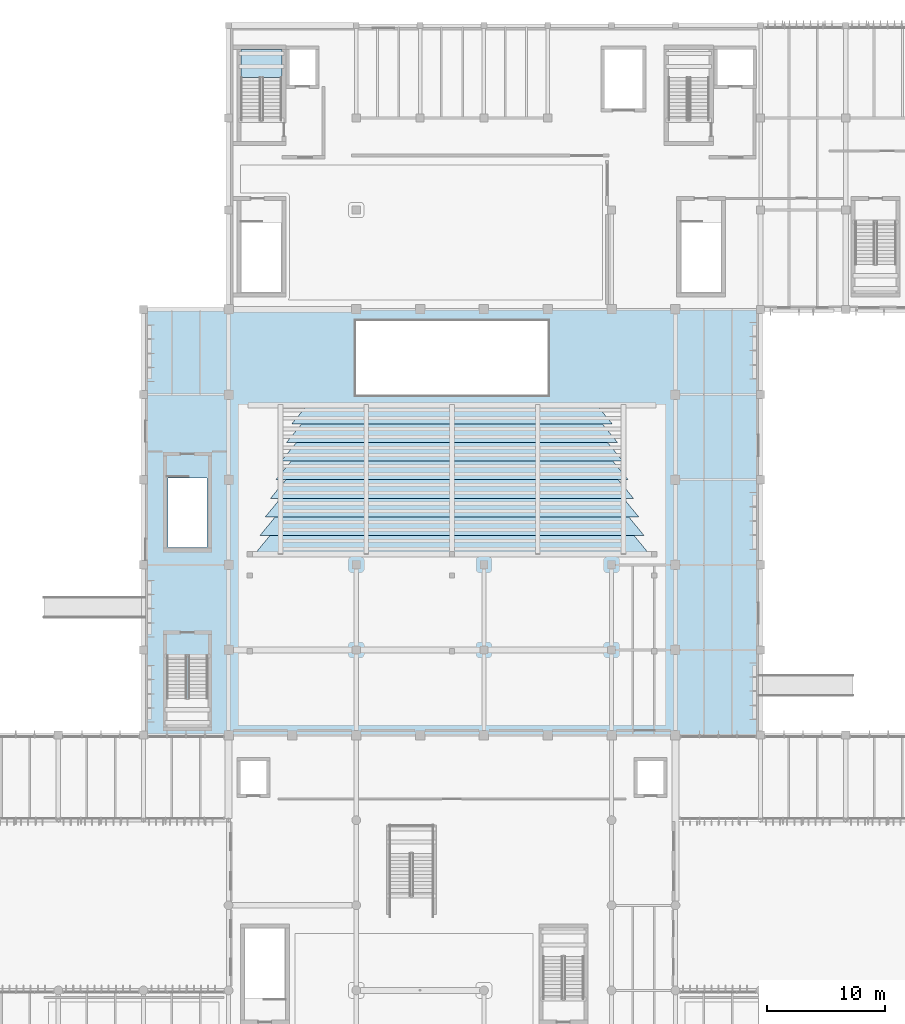
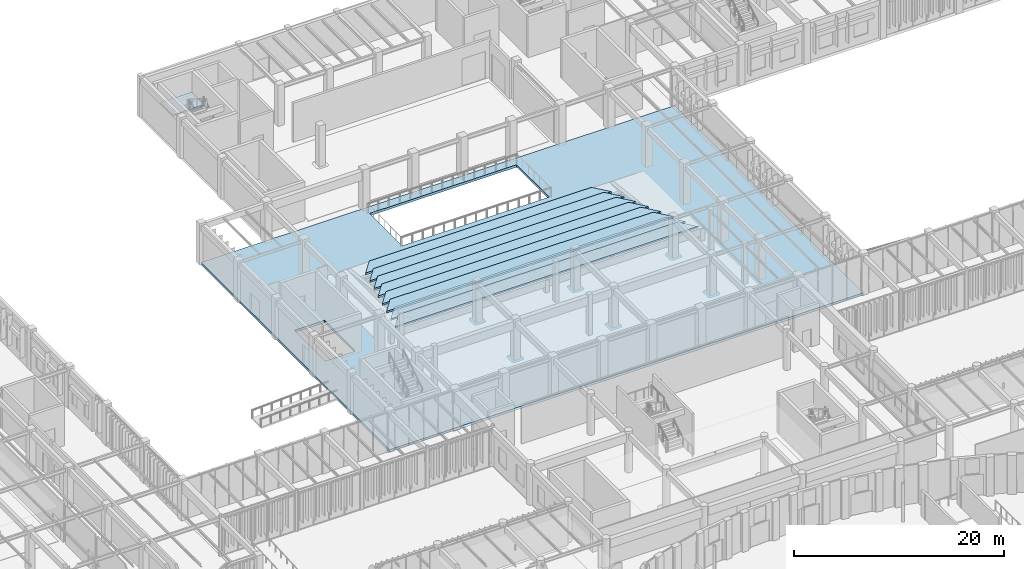
# One storey, part 23 of 122: 10 slabs, 1 element without a shape of its own.
"""IFC4 building model written with IfcOpenShell, lengths in metres."""

from ifc_helpers import new_model, si_unit, direction, frame, origin, place, context, subcontext, project, spatial, polyline, outline, extrude, material, layer, layer_set, type_object, element, aggregate, save


model = new_model("IFC4")

# Units and contexts
model_context = context("Model", 3, precision=1e-05, world=origin(), true_north=direction((0.0, 1.0)))
body_context = subcontext(model_context, "Body", "Model", "MODEL_VIEW")
ifc_project = project(units=[si_unit("LENGTHUNIT", "METRE"), si_unit("AREAUNIT", "SQUARE_METRE"), si_unit("VOLUMEUNIT", "CUBIC_METRE"), si_unit("PLANEANGLEUNIT", "RADIAN"), si_unit("MASSUNIT", "GRAM", prefix="KILO")], contexts=[model_context])

# Site, building, storey
site_placement = place(None, origin())
site = spatial("IfcSite", under=ifc_project, at=site_placement, CompositionType="ELEMENT")
building_placement = place(site_placement, origin())
building = spatial("IfcBuilding", under=site, at=building_placement, Name="Tazoul Stagehouse", CompositionType="ELEMENT")
storey_placement = place(building_placement, origin())
storey = spatial("IfcBuildingStorey", under=building, at=storey_placement, Name="L00", CompositionType="ELEMENT", Elevation=0.0)

# Slab
ifc_material_1 = material(Name="Concrete C35/45", Category="concrete")
ifc_layer_1 = layer(ifc_material_1, 0.280029296875, Name="Concrete C35/45")
ifc_layer_set_1 = layer_set([ifc_layer_1], Name="Concrete C35/45")
slab_type_1 = type_object("IfcSlabType", Name="Acoustic Hall Floor Slab 280", PredefinedType="FLOOR", material=ifc_layer_set_1)
slab_1_placement = place(storey_placement, frame((0.0, 0.0, -0.280029296875)))
element("IfcSlab", 1, at=slab_1_placement, inside=storey, type_object=slab_type_1, Name="L00 Acoustic Hall Floor Slab 280 (V1)", PredefinedType="FLOOR", context=body_context, shape_type="SweptSolid", body=[
    extrude(outline(polyline([(50.39990234375, 51.800048828125), (50.39990234375, 87.800048828125), (102.60009765625, 87.800048828125), (102.60009765625, 51.800048828125), (50.39990234375, 51.800048828125)]), holes=[polyline([(55.7900390625, 73.5400390625), (55.7900390625, 67.659912109375), (52.4599609375, 67.659912109375), (52.4599609375, 73.5400390625), (55.7900390625, 73.5400390625)]), polyline([(68.39990234375, 86.800048828125), (84.60009765625, 86.800048828125), (84.60009765625, 80.60009765625), (68.39990234375, 80.60009765625), (68.39990234375, 86.800048828125)])]), origin(), (0.0, 0.0, 1.0), 0.280029296875),
])

# Stair, slab
ifc_material_2 = material(Name="Concrete C40/50", Category="concrete")
stair_type = type_object("IfcStairType", Name="Protected Core Dogleg Stair 3900", PredefinedType="HALF_TURN_STAIR", material=ifc_material_2)
stair_placement = place(storey_placement, origin())
stair = element("IfcStair", 2, at=stair_placement, inside=storey, type_object=stair_type, Name="L00 Core Escape Stair ST-03", PredefinedType="HALF_TURN_STAIR")
ifc_layer_2 = layer(ifc_material_2, 0.179931640625, Name="Concrete C40/50")
ifc_layer_set_2 = layer_set([ifc_layer_2], Name="Concrete C40/50")
slab_type_2 = type_object("IfcSlabType", Name="Core Half-Landing Slab 180", PredefinedType="LANDING", material=ifc_layer_set_2)
slab_2_placement = place(storey_placement, frame((0.0, 0.0, 2.199951171875)))
slab_2 = element("IfcSlab", 3, at=slab_2_placement, type_object=slab_type_2, Name="ST-03 landing 1", PredefinedType="LANDING", context=body_context, shape_type="SweptSolid", body=[
    extrude(outline(polyline([(62.10009765625, 107.39990234375), (62.10009765625, 109.800048828125), (58.64990234375, 109.800048828125), (58.64990234375, 107.39990234375), (62.10009765625, 107.39990234375)])), origin(), (0.0, 0.0, 1.0), 0.199951171875),
])
aggregate(stair, [slab_2])

# Slabs
ifc_layer_3 = layer(ifc_material_2, 0.199951171875, Name="Concrete C40/50")
ifc_layer_set_3 = layer_set([ifc_layer_3], Name="Concrete C40/50")
slab_type_3 = type_object("IfcSlabType", Name="Stepped Stalls Seating Tier 200", PredefinedType="USERDEFINED", material=ifc_layer_set_3)
slab_3_placement = place(storey_placement, frame((0.0, 0.0, 0.02001953125)))
element("IfcSlab", 4, at=slab_3_placement, inside=storey, type_object=slab_type_3, Name="Stand V1-STALLS Seating Tier Row 1", ObjectType="SEATING TIER", PredefinedType="USERDEFINED", context=body_context, shape_type="SweptSolid", body=[
    extrude(outline(polyline([(62.949951171875, 78.125), (90.050048828125, 78.125), (88.75, 79.699951171875), (64.25, 79.699951171875), (62.949951171875, 78.125)])), origin(), (0.0, 0.0, 1.0), 0.199951171875),
])
slab_4_placement = place(storey_placement, frame((0.0, 0.0, 0.239990234375)))
element("IfcSlab", 5, at=slab_4_placement, inside=storey, type_object=slab_type_3, Name="Stand V1-STALLS Seating Tier Row 2", ObjectType="SEATING TIER", PredefinedType="USERDEFINED", context=body_context, shape_type="SweptSolid", body=[
    extrude(outline(polyline([(62.5, 76.550048828125), (90.5, 76.550048828125), (89.199951171875, 78.125), (63.800048828125, 78.125), (62.5, 76.550048828125)])), origin(), (0.0, 0.0, 1.0), 0.199951171875),
])
slab_5_placement = place(storey_placement, frame((0.0, 0.0, 0.4599609375)))
element("IfcSlab", 6, at=slab_5_placement, inside=storey, type_object=slab_type_3, Name="Stand V1-STALLS Seating Tier Row 3", ObjectType="SEATING TIER", PredefinedType="USERDEFINED", context=body_context, shape_type="SweptSolid", body=[
    extrude(outline(polyline([(62.050048828125, 74.97509765625), (90.949951171875, 74.97509765625), (89.64990234375, 76.550048828125), (63.35009765625, 76.550048828125), (62.050048828125, 74.97509765625)])), origin(), (0.0, 0.0, 1.0), 0.199951171875),
])
slab_6_placement = place(storey_placement, frame((0.0, 0.0, 0.679931640625)))
element("IfcSlab", 7, at=slab_6_placement, inside=storey, type_object=slab_type_3, Name="Stand V1-STALLS Seating Tier Row 4", ObjectType="SEATING TIER", PredefinedType="USERDEFINED", context=body_context, shape_type="SweptSolid", body=[
    extrude(outline(polyline([(61.60009765625, 73.39990234375), (91.39990234375, 73.39990234375), (90.10009765625, 74.97509765625), (62.89990234375, 74.97509765625), (61.60009765625, 73.39990234375)])), origin(), (0.0, 0.0, 1.0), 0.199951171875),
])
slab_7_placement = place(storey_placement, frame((0.0, 0.0, 0.89990234375)))
element("IfcSlab", 8, at=slab_7_placement, inside=storey, type_object=slab_type_3, Name="Stand V1-STALLS Seating Tier Row 5", ObjectType="SEATING TIER", PredefinedType="USERDEFINED", context=body_context, shape_type="SweptSolid", body=[
    extrude(outline(polyline([(61.14990234375, 71.824951171875), (91.85009765625, 71.824951171875), (90.550048828125, 73.39990234375), (62.449951171875, 73.39990234375), (61.14990234375, 71.824951171875)])), origin(), (0.0, 0.0, 1.0), 0.2001953125),
])
slab_8_placement = place(storey_placement, frame((0.0, 0.0, 1.1201171875)))
element("IfcSlab", 9, at=slab_8_placement, inside=storey, type_object=slab_type_3, Name="Stand V1-STALLS Seating Tier Row 6", ObjectType="SEATING TIER", PredefinedType="USERDEFINED", context=body_context, shape_type="SweptSolid", body=[
    extrude(outline(polyline([(60.699951171875, 70.25), (92.300048828125, 70.25), (91.0, 71.824951171875), (62.0, 71.824951171875), (60.699951171875, 70.25)])), origin(), (0.0, 0.0, 1.0), 0.199951171875),
])
slab_9_placement = place(storey_placement, frame((0.0, 0.0, 1.340087890625)))
element("IfcSlab", 10, at=slab_9_placement, inside=storey, type_object=slab_type_3, Name="Stand V1-STALLS Seating Tier Row 7", ObjectType="SEATING TIER", PredefinedType="USERDEFINED", context=body_context, shape_type="SweptSolid", body=[
    extrude(outline(polyline([(60.25, 68.675048828125), (92.75, 68.675048828125), (91.449951171875, 70.25), (61.550048828125, 70.25), (60.25, 68.675048828125)])), origin(), (0.0, 0.0, 1.0), 0.199951171875),
])
slab_10_placement = place(storey_placement, frame((0.0, 0.0, 1.56005859375)))
element("IfcSlab", 11, at=slab_10_placement, inside=storey, type_object=slab_type_3, Name="Stand V1-STALLS Seating Tier Row 8", ObjectType="SEATING TIER", PredefinedType="USERDEFINED", context=body_context, shape_type="SweptSolid", body=[
    extrude(outline(polyline([(59.800048828125, 67.10009765625), (93.199951171875, 67.10009765625), (91.89990234375, 68.675048828125), (61.10009765625, 68.675048828125), (59.800048828125, 67.10009765625)])), origin(), (0.0, 0.0, 1.0), 0.199951171875),
])

save(model, "model.ifc")
